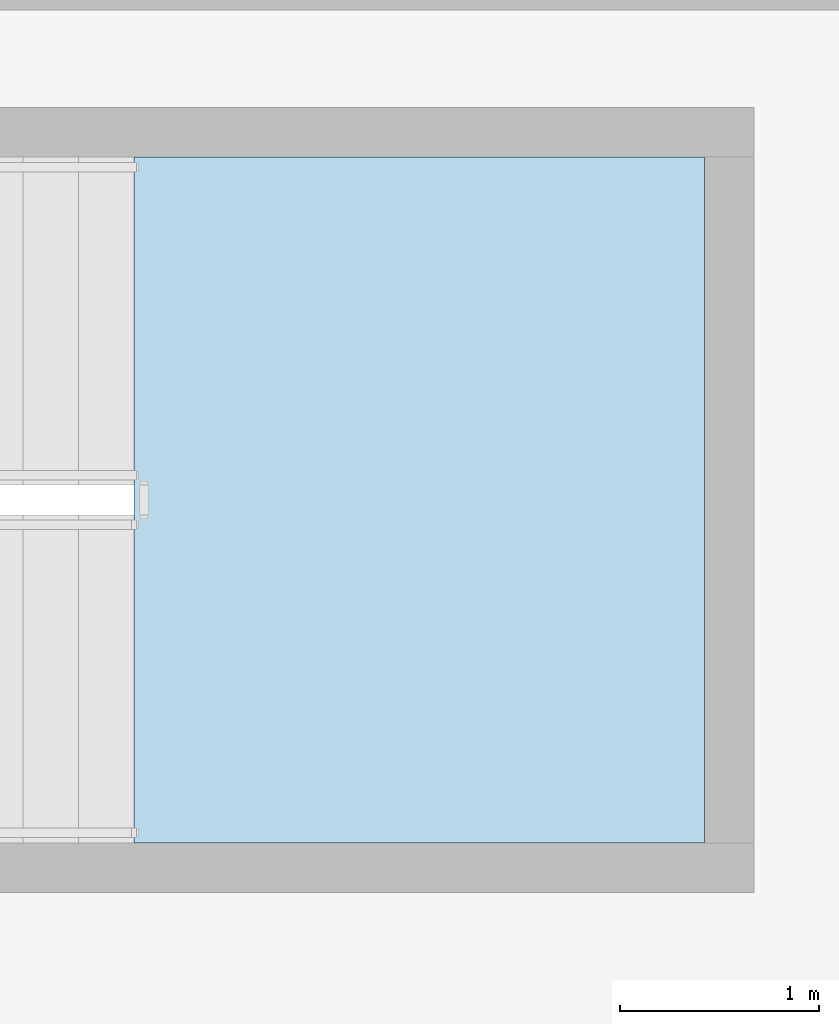
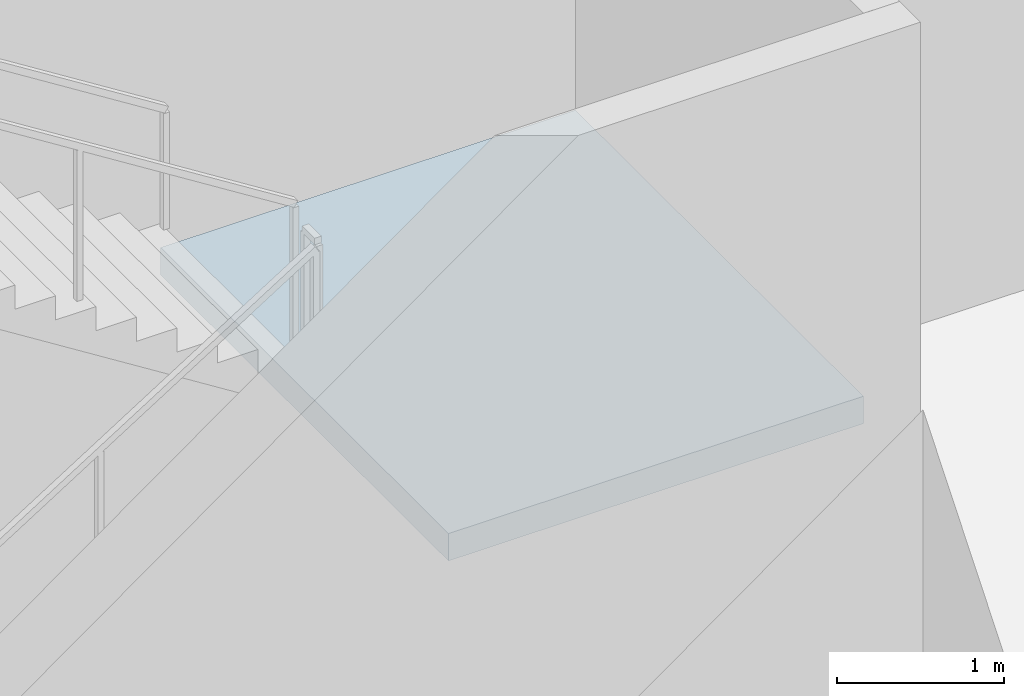
# One storey, part 10 of 25: 1 slab, 1 element without a shape of its own.
"""IFC4 building model written with IfcOpenShell, lengths in metres."""

from ifc_helpers import new_model, si_unit, direction, frame, origin, place, context, subcontext, project, spatial, polyline, outline, extrude, material, layer, layer_set, type_object, element, aggregate, save


model = new_model("IFC4")

# Units and contexts
model_context = context("Model", 3, precision=1e-05, world=origin(), true_north=direction((0.0, 1.0)))
body_context = subcontext(model_context, "Body", "Model", "MODEL_VIEW")
ifc_project = project(units=[si_unit("LENGTHUNIT", "METRE"), si_unit("AREAUNIT", "SQUARE_METRE"), si_unit("VOLUMEUNIT", "CUBIC_METRE"), si_unit("PLANEANGLEUNIT", "RADIAN"), si_unit("MASSUNIT", "GRAM", prefix="KILO")], contexts=[model_context])

# Site, building, storey
site_placement = place(None, origin())
site = spatial("IfcSite", under=ifc_project, at=site_placement, CompositionType="ELEMENT")
building_placement = place(site_placement, origin())
building = spatial("IfcBuilding", under=site, at=building_placement, Name="Vardaveli Station Tower", CompositionType="ELEMENT")
storey_placement = place(building_placement, origin())
storey = spatial("IfcBuildingStorey", under=building, at=storey_placement, Name="L01", CompositionType="ELEMENT", Elevation=0.0)

# Stair, slab
ifc_material_1 = material(Name="Structural steel S355J2", Category="steel")
stair_type = type_object("IfcStairType", Name="STR-FEAT-1650", PredefinedType="STRAIGHT_RUN_STAIR", material=ifc_material_1)
stair_placement = place(storey_placement, origin())
stair = element("IfcStair", 1, at=stair_placement, inside=storey, type_object=stair_type, Name="L01 ST-C2", PredefinedType="HALF_TURN_STAIR")
ifc_material_2 = material(Name="Concrete C40/50", Category="concrete")
ifc_layer = layer(ifc_material_2, 0.199951171875, Name="Concrete C40/50")
ifc_layer_set = layer_set([ifc_layer], Name="Concrete C40/50")
slab_type = type_object("IfcSlabType", Name="SLB-LAND-200", PredefinedType="LANDING", material=ifc_layer_set)
slab_placement = place(storey_placement, frame((0.0, 0.0, 2.800048828125)))
slab = element("IfcSlab", 2, at=slab_placement, type_object=slab_type, Name="ST-C2 landing 1", PredefinedType="LANDING", context=body_context, shape_type="SweptSolid", body=[
    extrude(outline(polyline([(71.72998046875, 32.0), (74.60009765625, 32.0), (74.60009765625, 35.449951171875), (71.72998046875, 35.449951171875), (71.72998046875, 32.0)])), origin(), (0.0, 0.0, 1.0), 0.199951171875),
])
aggregate(stair, [slab])

save(model, "model.ifc")
